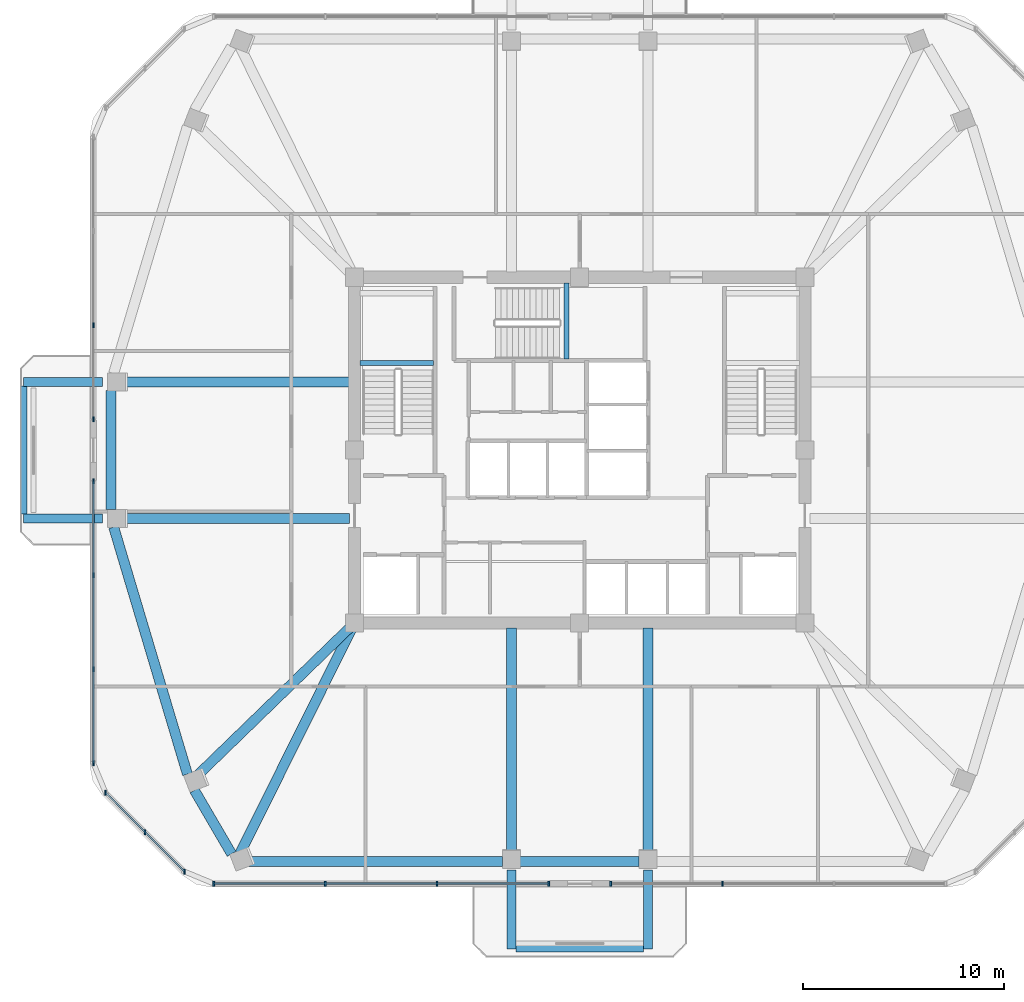
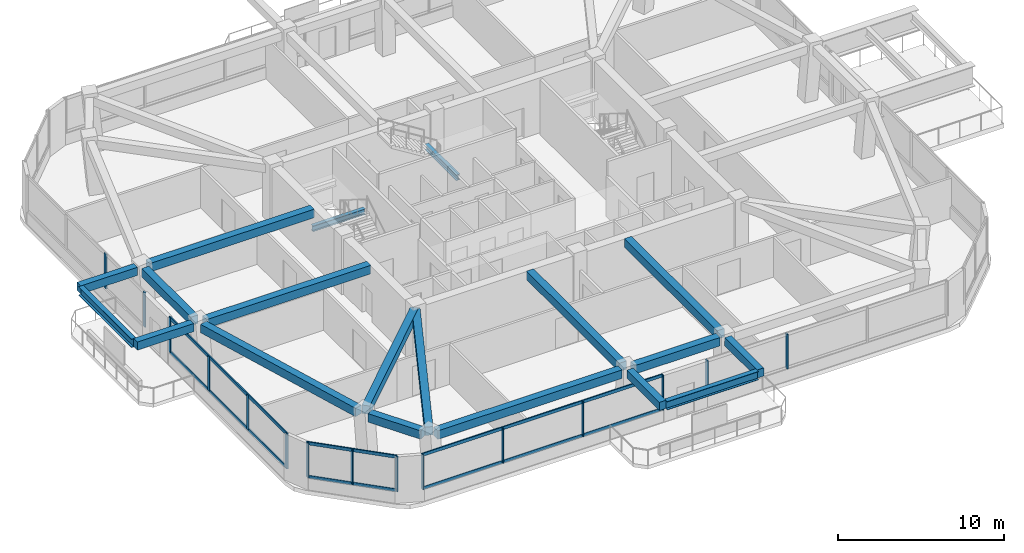
# One storey, part 2 of 13: 21 members, 19 beams, 5 elements without a shape of their own.
"""IFC4 building model written with IfcOpenShell, lengths in metres."""

import ifcopenshell
import ifcopenshell.guid

model = None  # the IFC model being written
_history = None  # IfcOwnerHistory: only IFC2X3 demands one
_inside = {}  # id of a spatial element -> (the spatial element, [elements in it])
_under = {}  # id of a project, library or spatial element -> (it, [spatial elements below it])
_declared = {}  # id of a project -> (the project, [libraries it declares])
_typed = {}  # id of a type object -> (the type object, [elements of that type])
_made_of = {}  # id of a material, layer set ... -> (it, [elements and type objects made of it])


def new_model(schema):
    """Start an empty IFC model of exactly this schema.

    Asked for "IFC4X3", IfcOpenShell would pick the latest addendum, in which some entities
    have other attributes; the version numbers below select the first issue.
    IFC2X3 requires an IfcOwnerHistory on every rooted entity: one is made here for all.
    """
    global model, _history
    if schema == "IFC4X3":
        model = ifcopenshell.file(schema_version=(4, 3, 0, 0))
    else:
        model = ifcopenshell.file(schema=schema)
    _inside.clear()
    _under.clear()
    _declared.clear()
    _typed.clear()
    _made_of.clear()
    _history = None
    if model.schema == "IFC2X3":
        org = make("IfcOrganization", Name="unknown")
        user = make(
            "IfcPersonAndOrganization",
            ThePerson=make("IfcPerson", FamilyName="unknown"),
            TheOrganization=org,
        )
        app = make(
            "IfcApplication",
            ApplicationDeveloper=org,
            Version="unknown",
            ApplicationFullName="unknown",
            ApplicationIdentifier="unknown",
        )
        _history = make(
            "IfcOwnerHistory",
            OwningUser=user,
            OwningApplication=app,
            ChangeAction="ADDED",
            CreationDate=0,
        )
    return model


def make(cls, **values):
    """One entity of the class cls with the attributes given. An attribute that is None is left unset."""
    return model.create_entity(
        cls, **{name: value for name, value in values.items() if value is not None}
    )


def rooted(cls, **values):
    """An entity with a GlobalId (a new one), such as an element, a storey or a relation."""
    return make(cls, GlobalId=ifcopenshell.guid.new(), OwnerHistory=_history, **values)


def si_unit(unit_type, name, prefix=None):
    """IfcSIUnit, for example si_unit("LENGTHUNIT", "METRE", prefix="MILLI")."""
    return make("IfcSIUnit", UnitType=unit_type, Prefix=prefix, Name=name)


def derived_unit(unit_type, elements):
    """IfcDerivedUnit: a product of units, each with its exponent."""
    return make(
        "IfcDerivedUnit",
        Elements=[
            make("IfcDerivedUnitElement", Unit=unit, Exponent=power)
            for unit, power in elements
        ],
        UnitType=unit_type,
    )


def assignment(units):
    """IfcUnitAssignment: the units of a project."""
    return None if units is None else make("IfcUnitAssignment", Units=units)


def point(xyz):
    """IfcCartesianPoint."""
    return None if xyz is None else make("IfcCartesianPoint", Coordinates=xyz)


def direction(xyz):
    """IfcDirection."""
    return None if xyz is None else make("IfcDirection", DirectionRatios=xyz)


def frame(location, z_axis=None, x_axis=None):
    """IfcAxis2Placement3D, a coordinate frame: its origin and axes. An axis left out is left unset."""
    return make(
        "IfcAxis2Placement3D",
        Location=point(location),
        Axis=direction(z_axis),
        RefDirection=direction(x_axis),
    )


def frame_2d(location, x_axis=None):
    """IfcAxis2Placement2D, a coordinate frame in the plane: its origin and x axis."""
    return make(
        "IfcAxis2Placement2D", Location=point(location), RefDirection=direction(x_axis)
    )


def origin():
    """The frame at (0, 0, 0) with its axes left unset."""
    return frame((0.0, 0.0, 0.0))


def origin_2d():
    """The frame at (0, 0) in the plane with its x axis left unset."""
    return frame_2d((0.0, 0.0))


def place(relative_to, where):
    """IfcLocalPlacement: puts the frame where relative to a parent placement (None: the world)."""
    return make(
        "IfcLocalPlacement", PlacementRelTo=relative_to, RelativePlacement=where
    )


def context(
    kind, dimensions, precision=None, world=None, true_north=None, identifier=None
):
    """IfcGeometricRepresentationContext, for example the 3D "Model" context."""
    return make(
        "IfcGeometricRepresentationContext",
        ContextIdentifier=identifier,
        ContextType=kind,
        CoordinateSpaceDimension=dimensions,
        Precision=precision,
        WorldCoordinateSystem=world,
        TrueNorth=true_north,
    )


def subcontext(parent, identifier, kind, view, scale=None):
    """IfcGeometricRepresentationSubContext, for example "Body" below "Model"."""
    return make(
        "IfcGeometricRepresentationSubContext",
        ContextIdentifier=identifier,
        ContextType=kind,
        ParentContext=parent,
        TargetScale=scale,
        TargetView=view,
    )


def project(units=None, contexts=None):
    """IfcProject with its units and contexts."""
    return rooted(
        "IfcProject",
        Name="project",
        RepresentationContexts=contexts,
        UnitsInContext=assignment(units),
    )


def spatial(cls, under=None, at=None, **own):
    """A site, building, storey or space (cls), placed at a placement, below another one or the project."""
    s = rooted(cls, ObjectPlacement=at, **own)
    if under is not None:
        _under.setdefault(under.id(), (under, []))[1].append(s)
    return s


def profile(cls, at=None, kind="AREA", **sizes):
    """A parametric profile (cls). Its sizes go by their IFC names, for example OverallWidth=200.0."""
    return make(cls, ProfileType=kind, Position=at, **sizes)


def rectangle(**sizes):
    """IfcRectangleProfileDef."""
    return profile("IfcRectangleProfileDef", **sizes)


def i_section(**sizes):
    """IfcIShapeProfileDef."""
    return profile("IfcIShapeProfileDef", **sizes)


def extrude(swept, where, along, depth):
    """IfcExtrudedAreaSolid: the profile swept, set in the frame where, extruded along a direction by depth."""
    return make(
        "IfcExtrudedAreaSolid",
        SweptArea=swept,
        Position=where,
        ExtrudedDirection=direction(along),
        Depth=depth,
    )


def shape(context_of_items, identifier, shape_type, items):
    """IfcShapeRepresentation: the items that make up one representation, for example the "Body"."""
    return make(
        "IfcShapeRepresentation",
        ContextOfItems=context_of_items,
        RepresentationIdentifier=identifier,
        RepresentationType=shape_type,
        Items=items,
    )


def material(Name=None, Category=None):
    """IfcMaterial."""
    return make("IfcMaterial", Name=Name, Category=Category)


def material_profile(
    of_material, cross_section, Name=None, Category=None, Priority=None
):
    """IfcMaterialProfile: a cross section and its material."""
    return make(
        "IfcMaterialProfile",
        Name=Name,
        Material=of_material,
        Profile=cross_section,
        Priority=Priority,
        Category=Category,
    )


def profile_set(profiles, Name=None, composite=None):
    """IfcMaterialProfileSet."""
    return make(
        "IfcMaterialProfileSet",
        Name=Name,
        MaterialProfiles=profiles,
        CompositeProfile=composite,
    )


def made_of(thing, what):
    """Note that an element or type object is made of a material, layer set ...; save() writes the relation."""
    if what is not None:
        _made_of.setdefault(what.id(), (what, []))[1].append(thing)
    return thing


def type_object(cls, material=None, **own):
    """A type object (cls), such as IfcWallType, which elements share."""
    return made_of(rooted(cls, **own), material)


def element(
    cls,
    number,
    at=None,
    inside=None,
    cuts=None,
    type_object=None,
    material=None,
    context=None,
    identifier="Body",
    shape_type=None,
    held_by="IfcProductDefinitionShape",
    body=None,
    shapes=None,
    **own,
):
    """One element of the class cls, such as IfcWall. Its Tag is "e" and its number.

    at: its placement. inside: the storey or other place that contains it. cuts: it is an
    opening in that element (IfcRelVoidsElement). A single representation is given by context,
    identifier, shape_type and body (its items); several are given by shapes. held_by: the class
    of the entity that holds the representations. save() writes the other relations.
    """
    e = rooted(cls, Tag="e%d" % number, ObjectPlacement=at, **own)
    if body is not None:
        shapes = [shape(context, identifier, shape_type, body)]
    if shapes is not None:
        e.Representation = make(held_by, Representations=shapes)
    if inside is not None:
        _inside.setdefault(inside.id(), (inside, []))[1].append(e)
    if cuts is not None:
        rooted(
            "IfcRelVoidsElement", RelatingBuildingElement=cuts, RelatedOpeningElement=e
        )
    if type_object is not None:
        _typed.setdefault(type_object.id(), (type_object, []))[1].append(e)
    return made_of(e, material)


def aggregate(whole, parts):
    """IfcRelAggregates: a whole, such as a stair, and the parts it consists of."""
    return rooted("IfcRelAggregates", RelatingObject=whole, RelatedObjects=parts)


def save(model, path):
    """Write the relations noted so far, then the file.

    IfcRelAggregates (storeys below a building ...), IfcRelContainedInSpatialStructure (elements
    in a storey), IfcRelDefinesByType, IfcRelAssociatesMaterial and IfcRelDeclares: one each for
    every whole, place, type object, material and project.
    """
    for whole, parts in _under.values():
        aggregate(whole, parts)
    for where, things in _inside.values():
        rooted(
            "IfcRelContainedInSpatialStructure",
            RelatedElements=things,
            RelatingStructure=where,
        )
    for kind, things in _typed.values():
        rooted("IfcRelDefinesByType", RelatedObjects=things, RelatingType=kind)
    for what, things in _made_of.values():
        rooted("IfcRelAssociatesMaterial", RelatedObjects=things, RelatingMaterial=what)
    for by, libraries in _declared.values():
        rooted("IfcRelDeclares", RelatingContext=by, RelatedDefinitions=libraries)
    model.write(path)


model = new_model("IFC4")

# Units and contexts
model_context = context("Model", 3, precision=1e-05, world=origin(), true_north=direction((0.0, 1.0)))
body_context = subcontext(model_context, "Body", "Model", "MODEL_VIEW")
ifc_project = project(units=[si_unit("LENGTHUNIT", "METRE"), si_unit("AREAUNIT", "SQUARE_METRE"), si_unit("VOLUMEUNIT", "CUBIC_METRE"), si_unit("PLANEANGLEUNIT", "RADIAN"), si_unit("MASSUNIT", "GRAM", prefix="KILO"), derived_unit("THERMALTRANSMITTANCEUNIT", [(si_unit("POWERUNIT", "WATT"), 1), (si_unit("LENGTHUNIT", "METRE"), -2), (si_unit("THERMODYNAMICTEMPERATUREUNIT", "KELVIN"), -1)])], contexts=[model_context])

# Site, building, storey
site_placement = place(None, origin())
site = spatial("IfcSite", under=ifc_project, at=site_placement, CompositionType="ELEMENT")
building_placement = place(site_placement, origin())
building = spatial("IfcBuilding", under=site, at=building_placement, Name="Koralith Skygarden Medical Center", CompositionType="ELEMENT")
storey_placement = place(building_placement, frame((0.0, 0.0, 188.4599609375)))
storey = spatial("IfcBuildingStorey", under=building, at=storey_placement, Name="L48", CompositionType="ELEMENT", Elevation=188.4599609375)

# Curtain wall, members
ifc_material_1 = material(Name="Clear Laminated Glass", Category="glass")
curtain_wall_type = type_object("IfcCurtainWallType", Name="CW-7 Sky-Garden & Pool Conservatory Wall", PredefinedType="NOTDEFINED", material=ifc_material_1)
curtain_wall_1_placement = place(storey_placement, origin())
curtain_wall_1 = element("IfcCurtainWall", 1, at=curtain_wall_1_placement, inside=storey, type_object=curtain_wall_type, Name="Curtain Wall CW-L48-S-L", PredefinedType="NOTDEFINED")
ifc_material_2 = material(Name="Aluminium 6063-T6", Category="aluminium")
ifc_material_profile_1 = material_profile(ifc_material_2, rectangle(XDim=0.0859375, YDim=0.25, at=origin_2d()), Name="MUL86X250")
ifc_profile_set_1 = profile_set([ifc_material_profile_1], Name="Aluminium 6063-T6")
member_type_1 = type_object("IfcMemberType", Name="CW-7 Extruded Mullion 86x250", PredefinedType="MULLION", material=ifc_profile_set_1)
member_1_placement = place(storey_placement, frame((18.794921875, 4.344970703125, 0.85009765625), z_axis=(0.0, 0.0, 1.0), x_axis=(1.0, 0.0, 0.0)))
member_1 = element("IfcMember", 2, at=member_1_placement, type_object=member_type_1, Name="CW-L48-S-L Mullion 1", PredefinedType="MULLION", context=body_context, shape_type="SweptSolid", body=[
    extrude(rectangle(XDim=0.0859375, YDim=0.25, at=origin_2d()), origin(), (0.0, 0.0, 1.0), 2.56005859375),
])
member_2_placement = place(storey_placement, frame((24.35009765625, 4.344970703125, 0.85009765625), z_axis=(0.0, 0.0, 1.0), x_axis=(1.0, 0.0, 0.0)))
member_2 = element("IfcMember", 3, at=member_2_placement, type_object=member_type_1, Name="CW-L48-S-L Mullion 2", PredefinedType="MULLION", context=body_context, shape_type="SweptSolid", body=[
    extrude(rectangle(XDim=0.0859375, YDim=0.25, at=origin_2d()), origin(), (0.0, 0.0, 1.0), 2.56005859375),
])
member_3_placement = place(storey_placement, frame((29.905029296875, 4.344970703125, 0.85009765625), z_axis=(0.0, 0.0, 1.0), x_axis=(1.0, 0.0, 0.0)))
member_3 = element("IfcMember", 4, at=member_3_placement, type_object=member_type_1, Name="CW-L48-S-L Mullion 3", PredefinedType="MULLION", context=body_context, shape_type="SweptSolid", body=[
    extrude(rectangle(XDim=0.0859375, YDim=0.25, at=origin_2d()), origin(), (0.0, 0.0, 1.0), 2.56005859375),
])
member_4_placement = place(storey_placement, frame((35.4599609375, 4.344970703125, 0.85009765625), z_axis=(0.0, 0.0, 1.0), x_axis=(1.0, 0.0, 0.0)))
member_4 = element("IfcMember", 5, at=member_4_placement, type_object=member_type_1, Name="CW-L48-S-L Mullion 4", PredefinedType="MULLION", context=body_context, shape_type="SweptSolid", body=[
    extrude(rectangle(XDim=0.0859375, YDim=0.25, at=origin_2d()), origin(), (0.0, 0.0, 1.0), 2.56005859375),
])

curtain_wall_2_placement = place(storey_placement, origin())
curtain_wall_2 = element("IfcCurtainWall", 6, at=curtain_wall_2_placement, inside=storey, type_object=curtain_wall_type, Name="Curtain Wall CW-L48-S-R", PredefinedType="NOTDEFINED")
member_5_placement = place(storey_placement, frame((38.5400390625, 4.344970703125, 0.85009765625), z_axis=(0.0, 0.0, 1.0), x_axis=(1.0, 0.0, 0.0)))
member_5 = element("IfcMember", 7, at=member_5_placement, type_object=member_type_1, Name="CW-L48-S-R Mullion 1", PredefinedType="MULLION", context=body_context, shape_type="SweptSolid", body=[
    extrude(rectangle(XDim=0.0859375, YDim=0.25, at=origin_2d()), origin(), (0.0, 0.0, 1.0), 2.56005859375),
])
member_6_placement = place(storey_placement, frame((44.094970703125, 4.344970703125, 0.85009765625), z_axis=(0.0, 0.0, 1.0), x_axis=(1.0, 0.0, 0.0)))
member_6 = element("IfcMember", 8, at=member_6_placement, type_object=member_type_1, Name="CW-L48-S-R Mullion 2", PredefinedType="MULLION", context=body_context, shape_type="SweptSolid", body=[
    extrude(rectangle(XDim=0.0859375, YDim=0.25, at=origin_2d()), origin(), (0.0, 0.0, 1.0), 2.56005859375),
])
aggregate(curtain_wall_2, [member_5, member_6])

curtain_wall_3_placement = place(storey_placement, origin())
curtain_wall_3 = element("IfcCurtainWall", 9, at=curtain_wall_3_placement, inside=storey, type_object=curtain_wall_type, Name="Curtain Wall CW-L48-W-L", PredefinedType="NOTDEFINED")
member_7_placement = place(storey_placement, frame((12.820068359375, 32.1201171875, 0.85009765625), z_axis=(0.0, 0.0, 1.0), x_axis=(1.0, 0.0, 0.0)))
member_7 = element("IfcMember", 10, at=member_7_placement, type_object=member_type_1, Name="CW-L48-W-L Mullion 3", PredefinedType="MULLION", context=body_context, shape_type="SweptSolid", body=[
    extrude(rectangle(XDim=0.0859375, YDim=0.25, at=origin_2d()), origin(), (0.0, 0.0, 1.0), 2.56005859375),
])
member_8_placement = place(storey_placement, frame((12.820068359375, 27.43994140625, 0.85009765625), z_axis=(0.0, 0.0, 1.0), x_axis=(1.0, 0.0, 0.0)))
member_8 = element("IfcMember", 11, at=member_8_placement, type_object=member_type_1, Name="CW-L48-W-L Mullion 4", PredefinedType="MULLION", context=body_context, shape_type="SweptSolid", body=[
    extrude(rectangle(XDim=0.0859375, YDim=0.25, at=origin_2d()), origin(), (0.0, 0.0, 1.0), 2.56005859375),
])
aggregate(curtain_wall_3, [member_7, member_8])

curtain_wall_4_placement = place(storey_placement, origin())
curtain_wall_4 = element("IfcCurtainWall", 12, at=curtain_wall_4_placement, inside=storey, type_object=curtain_wall_type, Name="Curtain Wall CW-L48-W-R", PredefinedType="NOTDEFINED")
member_9_placement = place(storey_placement, frame((12.820068359375, 24.360107421875, 0.85009765625), z_axis=(0.0, 0.0, 1.0), x_axis=(1.0, 0.0, 0.0)))
member_9 = element("IfcMember", 13, at=member_9_placement, type_object=member_type_1, Name="CW-L48-W-R Mullion 1", PredefinedType="MULLION", context=body_context, shape_type="SweptSolid", body=[
    extrude(rectangle(XDim=0.0859375, YDim=0.25, at=origin_2d()), origin(), (0.0, 0.0, 1.0), 2.56005859375),
])
member_10_placement = place(storey_placement, frame((12.820068359375, 19.679931640625, 0.85009765625), z_axis=(0.0, 0.0, 1.0), x_axis=(1.0, 0.0, 0.0)))
member_10 = element("IfcMember", 14, at=member_10_placement, type_object=member_type_1, Name="CW-L48-W-R Mullion 2", PredefinedType="MULLION", context=body_context, shape_type="SweptSolid", body=[
    extrude(rectangle(XDim=0.0859375, YDim=0.25, at=origin_2d()), origin(), (0.0, 0.0, 1.0), 2.56005859375),
])
member_11_placement = place(storey_placement, frame((12.820068359375, 15.0, 0.85009765625), z_axis=(0.0, 0.0, 1.0), x_axis=(1.0, 0.0, 0.0)))
member_11 = element("IfcMember", 15, at=member_11_placement, type_object=member_type_1, Name="CW-L48-W-R Mullion 3", PredefinedType="MULLION", context=body_context, shape_type="SweptSolid", body=[
    extrude(rectangle(XDim=0.0859375, YDim=0.25, at=origin_2d()), origin(), (0.0, 0.0, 1.0), 2.56005859375),
])
member_12_placement = place(storey_placement, frame((12.820068359375, 10.320068359375, 0.85009765625), z_axis=(0.0, 0.0, 1.0), x_axis=(1.0, 0.0, 0.0)))
member_12 = element("IfcMember", 16, at=member_12_placement, type_object=member_type_1, Name="CW-L48-W-R Mullion 4", PredefinedType="MULLION", context=body_context, shape_type="SweptSolid", body=[
    extrude(rectangle(XDim=0.0859375, YDim=0.25, at=origin_2d()), origin(), (0.0, 0.0, 1.0), 2.56005859375),
])

curtain_wall_5_placement = place(storey_placement, origin())
curtain_wall_5 = element("IfcCurtainWall", 17, at=curtain_wall_5_placement, inside=storey, type_object=curtain_wall_type, Name="Curtain Wall CW-L48-SW", PredefinedType="NOTDEFINED")
member_13_placement = place(storey_placement, frame((13.4208984375, 8.868896484375, 0.85009765625), z_axis=(0.0, 0.0, 1.0), x_axis=(1.0, 0.0, 0.0)))
member_13 = element("IfcMember", 18, at=member_13_placement, type_object=member_type_1, Name="CW-L48-SW Mullion 1", PredefinedType="MULLION", context=body_context, shape_type="SweptSolid", body=[
    extrude(rectangle(XDim=0.0859375, YDim=0.25, at=origin_2d()), origin(), (0.0, 0.0, 1.0), 2.56005859375),
])
member_14_placement = place(storey_placement, frame((15.383056640625, 6.906982421875, 0.85009765625), z_axis=(0.0, 0.0, 1.0), x_axis=(1.0, 0.0, 0.0)))
member_14 = element("IfcMember", 19, at=member_14_placement, type_object=member_type_1, Name="CW-L48-SW Mullion 2", PredefinedType="MULLION", context=body_context, shape_type="SweptSolid", body=[
    extrude(rectangle(XDim=0.0859375, YDim=0.25, at=origin_2d()), origin(), (0.0, 0.0, 1.0), 2.56005859375),
])
member_15_placement = place(storey_placement, frame((17.343994140625, 4.946044921875, 0.85009765625), z_axis=(0.0, 0.0, 1.0), x_axis=(1.0, 0.0, 0.0)))
member_15 = element("IfcMember", 20, at=member_15_placement, type_object=member_type_1, Name="CW-L48-SW Mullion 3", PredefinedType="MULLION", context=body_context, shape_type="SweptSolid", body=[
    extrude(rectangle(XDim=0.0859375, YDim=0.25, at=origin_2d()), origin(), (0.0, 0.0, 1.0), 2.56005859375),
])

# Member
ifc_material_profile_2 = material_profile(ifc_material_2, rectangle(XDim=0.0810546875, YDim=0.22509765625, at=origin_2d()), Name="TRN81X225")
ifc_profile_set_2 = profile_set([ifc_material_profile_2], Name="Aluminium 6063-T6")
member_type_2 = type_object("IfcMemberType", Name="CW-7 Thermal Transom 81x225", PredefinedType="USERDEFINED", material=ifc_profile_set_2)
member_16_placement = place(storey_placement, frame((18.794921875, 4.344970703125, 0.900146484375), z_axis=(1.0, 0.0, 0.0), x_axis=(0.0, 1.0, 0.0)))
member_16 = element("IfcMember", 21, at=member_16_placement, type_object=member_type_2, Name="CW-L48-S-L Transom 1", ObjectType="TRANSOM", PredefinedType="USERDEFINED", context=body_context, shape_type="SweptSolid", body=[
    extrude(rectangle(XDim=0.0810546875, YDim=0.22509765625, at=origin_2d()), origin(), (0.0, 0.0, 1.0), 16.6650390625),
])

member_17_placement = place(storey_placement, frame((18.794921875, 4.344970703125, 3.360107421875), z_axis=(1.0, 0.0, 0.0), x_axis=(0.0, 1.0, 0.0)))
member_17 = element("IfcMember", 22, at=member_17_placement, type_object=member_type_2, Name="CW-L48-S-L Transom 2", ObjectType="TRANSOM", PredefinedType="USERDEFINED", context=body_context, shape_type="SweptSolid", body=[
    extrude(rectangle(XDim=0.0810546875, YDim=0.22509765625, at=origin_2d()), origin(), (0.0, 0.0, 1.0), 16.6650390625),
])

aggregate(curtain_wall_1, [member_1, member_2, member_3, member_4, member_16, member_17])

member_18_placement = place(storey_placement, frame((12.820068359375, 24.360107421875, 0.900146484375), z_axis=(0.0, -1.0, 0.0), x_axis=(1.0, 0.0, 0.0)))
member_18 = element("IfcMember", 23, at=member_18_placement, type_object=member_type_2, Name="CW-L48-W-R Transom 1", ObjectType="TRANSOM", PredefinedType="USERDEFINED", context=body_context, shape_type="SweptSolid", body=[
    extrude(rectangle(XDim=0.0810546875, YDim=0.22509765625, at=origin_2d()), origin(), (0.0, 0.0, 1.0), 14.0400390625),
])

member_19_placement = place(storey_placement, frame((12.820068359375, 24.360107421875, 3.360107421875), z_axis=(0.0, -1.0, 0.0), x_axis=(1.0, 0.0, 0.0)))
member_19 = element("IfcMember", 24, at=member_19_placement, type_object=member_type_2, Name="CW-L48-W-R Transom 2", ObjectType="TRANSOM", PredefinedType="USERDEFINED", context=body_context, shape_type="SweptSolid", body=[
    extrude(rectangle(XDim=0.0810546875, YDim=0.22509765625, at=origin_2d()), origin(), (0.0, 0.0, 1.0), 14.0400390625),
])

aggregate(curtain_wall_4, [member_9, member_10, member_11, member_12, member_18, member_19])

member_20_placement = place(storey_placement, frame((13.4208984375, 8.868896484375, 0.900146484375), z_axis=(0.707128783731, -0.707084777957, 0.0), x_axis=(0.707084777957, 0.707128783731, 0.0)))
member_20 = element("IfcMember", 25, at=member_20_placement, type_object=member_type_2, Name="CW-L48-SW Transom 1", ObjectType="TRANSOM", PredefinedType="USERDEFINED", context=body_context, shape_type="SweptSolid", body=[
    extrude(rectangle(XDim=0.0810546875, YDim=0.22509765625, at=origin_2d()), origin(), (0.0, 0.0, 1.0), 5.5478515625),
])

member_21_placement = place(storey_placement, frame((13.4208984375, 8.868896484375, 3.360107421875), z_axis=(0.707128783731, -0.707084777957, 0.0), x_axis=(0.707084777957, 0.707128783731, 0.0)))
member_21 = element("IfcMember", 26, at=member_21_placement, type_object=member_type_2, Name="CW-L48-SW Transom 2", ObjectType="TRANSOM", PredefinedType="USERDEFINED", context=body_context, shape_type="SweptSolid", body=[
    extrude(rectangle(XDim=0.0810546875, YDim=0.22509765625, at=origin_2d()), origin(), (0.0, 0.0, 1.0), 5.5478515625),
])

aggregate(curtain_wall_5, [member_13, member_14, member_15, member_20, member_21])

# Beams
ifc_material_3 = material(Name="Steel ASTM A992 Grade 50", Category="steel")
ifc_material_profile_3 = material_profile(ifc_material_3, i_section(OverallWidth=0.326904296875, OverallDepth=0.6220703125, WebThickness=0.015380859375, FlangeThickness=0.0244140625, at=origin_2d()), Name="W24X131")
ifc_profile_set_3 = profile_set([ifc_material_profile_3], Name="Steel ASTM A992 Grade 50")
beam_type_1 = type_object("IfcBeamType", Name="Cantilever Tie Beam W24X131", PredefinedType="BEAM", material=ifc_profile_set_3)
beam_1_placement = place(storey_placement, frame((33.820068359375, 1.094970703125, 3.7490234375), z_axis=(1.0, 0.0, 0.0), x_axis=(0.0, 1.0, 0.0)))
element("IfcBeam", 27, at=beam_1_placement, inside=storey, type_object=beam_type_1, Name="L49 S Balcony Tip Tie Beam", PredefinedType="BEAM", context=body_context, shape_type="SweptSolid", body=[
    extrude(i_section(OverallWidth=0.326904296875, OverallDepth=0.6220703125, WebThickness=0.015380859375, FlangeThickness=0.0244140625, at=origin_2d()), origin(), (0.0, 0.0, 1.0), 6.35986328125),
])
beam_2_placement = place(storey_placement, frame((9.346923828125, 22.719970703125, 3.7490234375), z_axis=(0.0, 1.0, 0.0), x_axis=(-1.0, 0.0, 0.0)))
element("IfcBeam", 28, at=beam_2_placement, inside=storey, type_object=beam_type_1, Name="L49 W Balcony Tip Tie Beam", PredefinedType="BEAM", context=body_context, shape_type="SweptSolid", body=[
    extrude(i_section(OverallWidth=0.326904296875, OverallDepth=0.6220703125, WebThickness=0.015380859375, FlangeThickness=0.0244140625, at=origin_2d()), origin(), (0.0, 0.0, 1.0), 6.360107421875),
])
ifc_material_profile_4 = material_profile(ifc_material_3, i_section(OverallWidth=0.260009765625, OverallDepth=0.4150390625, WebThickness=0.010009765625, FlangeThickness=0.016845703125, at=origin_2d()), Name="W16X67")
ifc_profile_set_4 = profile_set([ifc_material_profile_4], Name="Steel ASTM A992 Grade 50")
beam_type_2 = type_object("IfcBeamType", Name="Clinical Floor Joist W16X67", PredefinedType="JOIST", material=ifc_profile_set_4)
beam_3_placement = place(storey_placement, frame((26.080078125, 30.239990234375, 1.7529296875), z_axis=(1.0, 0.0, 0.0), x_axis=(0.0, 1.0, 0.0)))
element("IfcBeam", 29, at=beam_3_placement, inside=storey, type_object=beam_type_2, Name="L48 Stair ST1 Half-Landing Support Beam 1A", PredefinedType="JOIST", context=body_context, shape_type="SweptSolid", body=[
    extrude(i_section(OverallWidth=0.260009765625, OverallDepth=0.4150390625, WebThickness=0.010009765625, FlangeThickness=0.016845703125, at=origin_2d()), origin(), (0.0, 0.0, 1.0), 3.639892578125),
])
beam_4_placement = place(storey_placement, frame((36.340087890625, 30.43994140625, 1.7529296875), z_axis=(0.0, 1.0, 0.0), x_axis=(-1.0, 0.0, 0.0)))
element("IfcBeam", 30, at=beam_4_placement, inside=storey, type_object=beam_type_2, Name="L48 Stair ST3 Half-Landing Support Beam 1A", PredefinedType="JOIST", context=body_context, shape_type="SweptSolid", body=[
    extrude(i_section(OverallWidth=0.260009765625, OverallDepth=0.4150390625, WebThickness=0.010009765625, FlangeThickness=0.016845703125, at=origin_2d()), origin(), (0.0, 0.0, 1.0), 3.780029296875),
])
ifc_material_4 = material(Name="Concrete C45/55", Category="concrete")
ifc_material_profile_5 = material_profile(ifc_material_4, rectangle(XDim=0.449951171875, YDim=0.60009765625, at=origin_2d()), Name="RCB450X600")
ifc_profile_set_5 = profile_set([ifc_material_profile_5], Name="Concrete C45/55")
beam_type_3 = type_object("IfcBeamType", Name="Planted Balcony Cantilever Beam RCB450X600", PredefinedType="BEAM", material=ifc_profile_set_5)
for number, where, z_axis, x_axis, name in (
    (31, (33.60009765625, 5.014892578125, 3.760009765625), (0.0, -1.0, 0.0), (1.0, 0.0, 0.0), "L49 S Balcony Cantilever Beam A"),
    (32, (40.39990234375, 5.014892578125, 3.760009765625), (0.0, -1.0, 0.0), (1.0, 0.0, 0.0), "L49 S Balcony Cantilever Beam B"),
):
    element("IfcBeam", number, at=place(storey_placement, frame(where, z_axis=z_axis, x_axis=x_axis)), inside=storey, type_object=beam_type_3, Name=name, PredefinedType="BEAM", context=body_context, shape_type="SweptSolid", body=[
        extrude(rectangle(XDim=0.449951171875, YDim=0.60009765625, at=origin_2d()), origin(), (0.0, 0.0, 1.0), 3.919921875),
    ])
for number, where, z_axis, x_axis, name in (
    (33, (13.26708984375, 22.5, 3.760009765625), (-1.0, 0.0, 0.0), (0.0, -1.0, 0.0), "L49 W Balcony Cantilever Beam A"),
    (34, (13.26708984375, 29.300048828125, 3.760009765625), (-1.0, 0.0, 0.0), (0.0, -1.0, 0.0), "L49 W Balcony Cantilever Beam B"),
):
    element("IfcBeam", number, at=place(storey_placement, frame(where, z_axis=z_axis, x_axis=x_axis)), inside=storey, type_object=beam_type_3, Name=name, PredefinedType="BEAM", context=body_context, shape_type="SweptSolid", body=[
        extrude(rectangle(XDim=0.449951171875, YDim=0.60009765625, at=origin_2d()), origin(), (0.0, 0.0, 1.0), 3.920166015625),
    ])
ifc_material_profile_6 = material_profile(ifc_material_4, rectangle(XDim=0.5, YDim=0.6201171875, at=origin_2d()), Name="RCB500X620")
ifc_profile_set_6 = profile_set([ifc_material_profile_6], Name="Concrete C45/55")
beam_type_4 = type_object("IfcBeamType", Name="Upper Radial Collector Beam RCB500X620", PredefinedType="BEAM", material=ifc_profile_set_6)
beam_5_placement = place(storey_placement, frame((25.550048828125, 22.5, 3.72998046875), z_axis=(-1.0, 0.0, 0.0), x_axis=(0.0, -1.0, 0.0)))
element("IfcBeam", 35, at=beam_5_placement, inside=storey, type_object=beam_type_4, Name="L48 Radial Collector Beam RB-01", PredefinedType="BEAM", context=body_context, shape_type="SweptSolid", body=[
    extrude(rectangle(XDim=0.5, YDim=0.6201171875, at=origin_2d()), origin(), (0.0, 0.0, 1.0), 11.4130859375),
])
beam_6_placement = place(storey_placement, frame((25.62109375, 17.1259765625, 3.72998046875), z_axis=(-0.717954600656, -0.696089930538, 0.0), x_axis=(0.696089930538, -0.717954600656, 0.0)))
element("IfcBeam", 36, at=beam_6_placement, inside=storey, type_object=beam_type_4, Name="L48 Radial Collector Beam RB-02", PredefinedType="BEAM", context=body_context, shape_type="SweptSolid", body=[
    extrude(rectangle(XDim=0.5, YDim=0.6201171875, at=origin_2d()), origin(), (0.0, 0.0, 1.0), 10.708251953125),
])
beam_7_placement = place(storey_placement, frame((25.68896484375, 17.075927734375, 3.72998046875), z_axis=(-0.445079925524, -0.895490848583, 0.0), x_axis=(0.895490848583, -0.445079925524, 0.0)))
element("IfcBeam", 37, at=beam_7_placement, inside=storey, type_object=beam_type_4, Name="L48 Radial Collector Beam RB-03", PredefinedType="BEAM", context=body_context, shape_type="SweptSolid", body=[
    extrude(rectangle(XDim=0.5, YDim=0.6201171875, at=origin_2d()), origin(), (0.0, 0.0, 1.0), 12.54833984375),
])
for number, where, z_axis, x_axis, name in (
    (38, (33.60009765625, 17.050048828125, 3.72998046875), (0.0, -1.0, 0.0), (1.0, 0.0, 0.0), "L48 Radial Collector Beam RB-04"),
    (39, (40.39990234375, 17.050048828125, 3.72998046875), (0.0, -1.0, 0.0), (1.0, 0.0, 0.0), "L48 Radial Collector Beam RB-05"),
):
    element("IfcBeam", number, at=place(storey_placement, frame(where, z_axis=z_axis, x_axis=x_axis)), inside=storey, type_object=beam_type_4, Name=name, PredefinedType="BEAM", context=body_context, shape_type="SweptSolid", body=[
        extrude(rectangle(XDim=0.5, YDim=0.6201171875, at=origin_2d()), origin(), (0.0, 0.0, 1.0), 11.1650390625),
    ])
beam_8_placement = place(storey_placement, frame((25.550048828125, 29.300048828125, 3.72998046875), z_axis=(-1.0, 0.0, 0.0), x_axis=(0.0, -1.0, 0.0)))
element("IfcBeam", 40, at=beam_8_placement, inside=storey, type_object=beam_type_4, Name="L48 Radial Collector Beam RB-16", PredefinedType="BEAM", context=body_context, shape_type="SweptSolid", body=[
    extrude(rectangle(XDim=0.5, YDim=0.6201171875, at=origin_2d()), origin(), (0.0, 0.0, 1.0), 11.4130859375),
])
ifc_material_profile_7 = material_profile(ifc_material_4, rectangle(XDim=0.5, YDim=0.6201171875, at=origin_2d()), Name="RCB500X620")
ifc_profile_set_7 = profile_set([ifc_material_profile_7], Name="Concrete C45/55")
beam_type_5 = type_object("IfcBeamType", Name="Zone 4-5 Spandrel Beam RCB500X620", PredefinedType="SPANDREL", material=ifc_profile_set_7)
beam_9_placement = place(storey_placement, frame((13.822998046875, 22.077880859375, 3.72998046875), z_axis=(0.285990656755, -0.958232406177, 0.0), x_axis=(0.958232406177, 0.285990656755, 0.0)))
element("IfcBeam", 41, at=beam_9_placement, inside=storey, type_object=beam_type_5, Name="L48 Perimeter Spandrel Beam SP-01", PredefinedType="SPANDREL", context=body_context, shape_type="SweptSolid", body=[
    extrude(rectangle(XDim=0.5, YDim=0.6201171875, at=origin_2d()), origin(), (0.0, 0.0, 1.0), 12.825439453125),
])
beam_10_placement = place(storey_placement, frame((17.839111328125, 8.986083984375, 3.72998046875), z_axis=(0.504467955678, -0.863430415085, 0.0), x_axis=(0.863430415085, 0.504467955678, 0.0)))
element("IfcBeam", 42, at=beam_10_placement, inside=storey, type_object=beam_type_5, Name="L48 Perimeter Spandrel Beam SP-02", PredefinedType="SPANDREL", context=body_context, shape_type="SweptSolid", body=[
    extrude(rectangle(XDim=0.5, YDim=0.6201171875, at=origin_2d()), origin(), (0.0, 0.0, 1.0), 3.6611328125),
])
beam_11_placement = place(storey_placement, frame((20.347900390625, 5.445068359375, 3.72998046875), z_axis=(1.0, 0.0, 0.0), x_axis=(0.0, 1.0, 0.0)))
element("IfcBeam", 43, at=beam_11_placement, inside=storey, type_object=beam_type_5, Name="L48 Perimeter Spandrel Beam SP-03", PredefinedType="SPANDREL", context=body_context, shape_type="SweptSolid", body=[
    extrude(rectangle(XDim=0.5, YDim=0.6201171875, at=origin_2d()), origin(), (0.0, 0.0, 1.0), 12.81201171875),
])
beam_12_placement = place(storey_placement, frame((34.0400390625, 5.445068359375, 3.72998046875), z_axis=(1.0, 0.0, 0.0), x_axis=(0.0, 1.0, 0.0)))
element("IfcBeam", 44, at=beam_12_placement, inside=storey, type_object=beam_type_5, Name="L48 Perimeter Spandrel Beam SP-04", PredefinedType="SPANDREL", context=body_context, shape_type="SweptSolid", body=[
    extrude(rectangle(XDim=0.5, YDim=0.6201171875, at=origin_2d()), origin(), (0.0, 0.0, 1.0), 5.919921875),
])
beam_13_placement = place(storey_placement, frame((13.697021484375, 28.860107421875, 3.72998046875), z_axis=(0.0, -1.0, 0.0), x_axis=(1.0, 0.0, 0.0)))
element("IfcBeam", 45, at=beam_13_placement, inside=storey, type_object=beam_type_5, Name="L48 Perimeter Spandrel Beam SP-16", PredefinedType="SPANDREL", context=body_context, shape_type="SweptSolid", body=[
    extrude(rectangle(XDim=0.5, YDim=0.6201171875, at=origin_2d()), origin(), (0.0, 0.0, 1.0), 5.920166015625),
])

save(model, "model.ifc")
